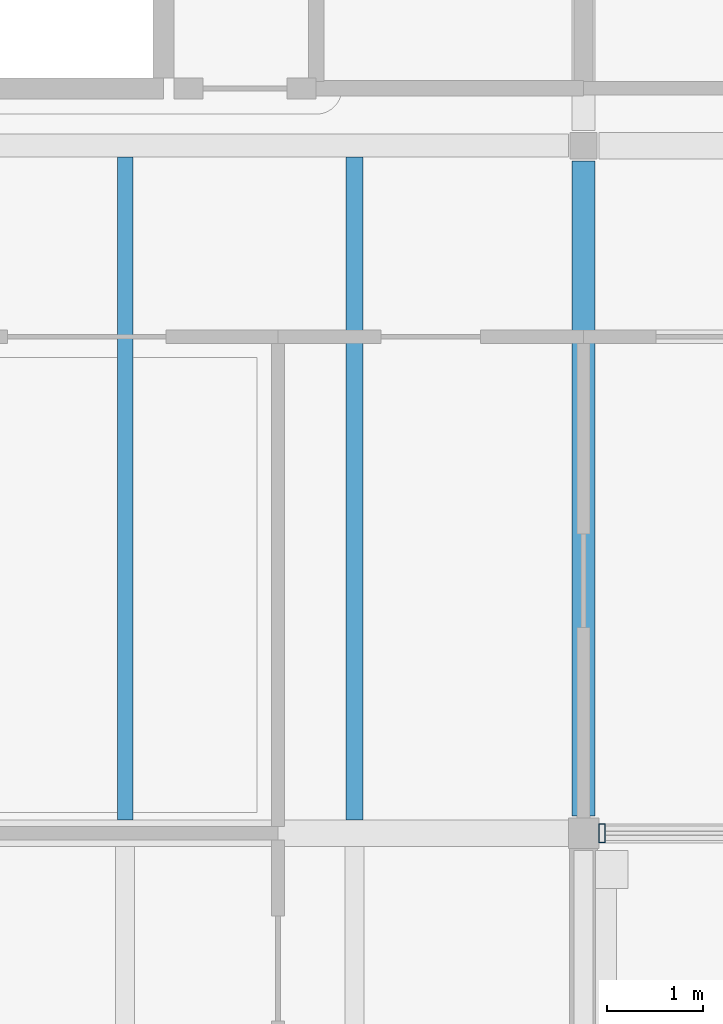
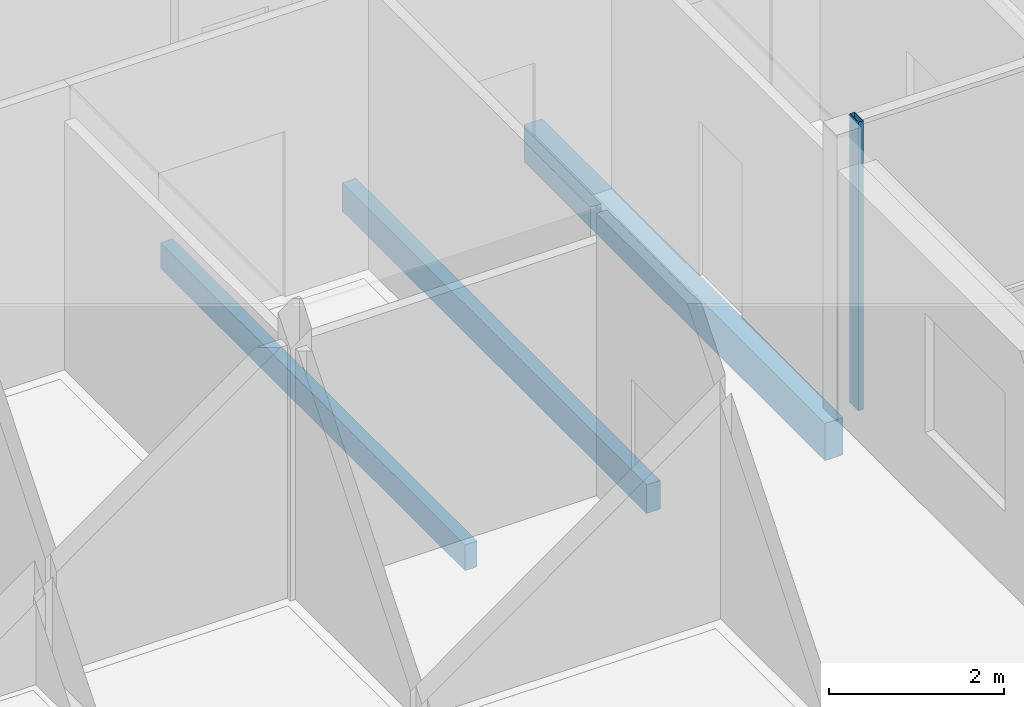
# One storey, part 12 of 57: 3 beams, 1 member, 1 element without a shape of its own.
"""IFC4 building model written with IfcOpenShell, lengths in metres."""

from ifc_helpers import new_model, si_unit, direction, frame, origin, origin_2d, place, context, subcontext, project, spatial, rectangle, hollow_rectangle, extrude, material, material_profile, profile_set, type_object, element, aggregate, save


model = new_model("IFC4")

# Units and contexts
model_context = context("Model", 3, precision=1e-05, world=origin(), true_north=direction((0.0, 1.0)))
body_context = subcontext(model_context, "Body", "Model", "MODEL_VIEW")
ifc_project = project(units=[si_unit("LENGTHUNIT", "METRE"), si_unit("AREAUNIT", "SQUARE_METRE"), si_unit("VOLUMEUNIT", "CUBIC_METRE"), si_unit("PLANEANGLEUNIT", "RADIAN"), si_unit("MASSUNIT", "GRAM", prefix="KILO")], contexts=[model_context])

# Site, building, storey
site_placement = place(None, origin())
site = spatial("IfcSite", under=ifc_project, at=site_placement, CompositionType="ELEMENT")
building_placement = place(site_placement, origin())
building = spatial("IfcBuilding", under=site, at=building_placement, Name="Hawrajan Terrace Health Centre", CompositionType="ELEMENT")
storey_placement = place(building_placement, frame((0.0, 0.0, 13.199951171875)))
storey = spatial("IfcBuildingStorey", under=building, at=storey_placement, Name="L03", CompositionType="ELEMENT", Elevation=13.199951171875)

# Curtain wall, member
ifc_material_1 = material(Name="Anodized bronze aluminium and low-E solar glazing", Category="aluminium")
curtain_wall_type = type_object("IfcCurtainWallType", Name="CW_Clerestory_SeriesG1", PredefinedType="USERDEFINED", material=ifc_material_1)
curtain_wall_placement = place(storey_placement, origin())
curtain_wall = element("IfcCurtainWall", 1, at=curtain_wall_placement, inside=storey, type_object=curtain_wall_type, Name="Curtain wall CW-L03-160", ObjectType="UNITISED CURTAIN WALL", PredefinedType="USERDEFINED")
ifc_material_2 = material(Name="Anodized bronze aluminium 6063-T6", Category="aluminium")
ifc_material_profile_1 = material_profile(ifc_material_2, hollow_rectangle(XDim=0.06494140625, YDim=0.199951171875, WallThickness=0.00439453125, at=origin_2d()), Name="CW MUL 65x200")
ifc_profile_set_1 = profile_set([ifc_material_profile_1], Name="Anodized bronze aluminium 6063-T6")
member_type = type_object("IfcMemberType", Name="CWMullion_65x200", PredefinedType="MULLION", material=ifc_profile_set_1)
member_placement = place(storey_placement, frame((19.1923828125, 45.39990234375, -0.0048828125), z_axis=(0.0, 0.0, 1.0), x_axis=(1.0, 0.0, 0.0)))
member = element("IfcMember", 2, at=member_placement, type_object=member_type, Name="Mullion CW-L03-160-M1", PredefinedType="MULLION", context=body_context, shape_type="SweptSolid", body=[
    extrude(hollow_rectangle(XDim=0.06494140625, YDim=0.199951171875, WallThickness=0.00439453125, at=origin_2d()), origin(), (0.0, 0.0, 1.0), 4.02001953125),
])
aggregate(curtain_wall, [member])

# Beams
ifc_material_3 = material(Name="Glulam GL32h", Category="wood")
ifc_material_profile_2 = material_profile(ifc_material_3, rectangle(XDim=0.239990234375, YDim=0.52001953125, at=origin_2d()), Name="GL BM 240x520")
ifc_profile_set_2 = profile_set([ifc_material_profile_2], Name="Glulam GL32h")
beam_type_1 = type_object("IfcBeamType", Name="GlulamGirder_240x520", PredefinedType="BEAM", material=ifc_profile_set_2)
beam_1_placement = place(storey_placement, frame((19.0, 45.580078125, -0.510009765625), z_axis=(0.0, 1.0, 0.0), x_axis=(-1.0, 0.0, 0.0)))
element("IfcBeam", 3, at=beam_1_placement, inside=storey, type_object=beam_type_1, Name="Beam BM-Y-L03-W-X03-6", PredefinedType="BEAM", context=body_context, shape_type="SweptSolid", body=[
    extrude(rectangle(XDim=0.239990234375, YDim=0.52001953125, at=origin_2d()), origin(), (0.0, 0.0, 1.0), 6.85986328125),
])
ifc_material_4 = material(Name="Glulam GL28h", Category="wood")
ifc_material_profile_3 = material_profile(ifc_material_4, rectangle(XDim=0.159912109375, YDim=0.360107421875, at=origin_2d()), Name="GL JST 160x360")
ifc_profile_set_3 = profile_set([ifc_material_profile_3], Name="Glulam GL28h")
beam_type_2 = type_object("IfcBeamType", Name="GlulamJoist_160x360", PredefinedType="JOIST", material=ifc_profile_set_3)
beam_2_placement = place(storey_placement, frame((14.199951171875, 45.5400390625, -0.429931640625), z_axis=(0.0, 1.0, 0.0), x_axis=(-1.0, 0.0, 0.0)))
element("IfcBeam", 4, at=beam_2_placement, inside=storey, type_object=beam_type_2, Name="Secondary joist JST-L03-W-02-6-1", PredefinedType="JOIST", context=body_context, shape_type="SweptSolid", body=[
    extrude(rectangle(XDim=0.159912109375, YDim=0.360107421875, at=origin_2d()), origin(), (0.0, 0.0, 1.0), 6.93994140625),
])
ifc_material_profile_4 = material_profile(ifc_material_4, rectangle(XDim=0.179931640625, YDim=0.39990234375, at=origin_2d()), Name="GL JST 180x400")
ifc_profile_set_4 = profile_set([ifc_material_profile_4], Name="Glulam GL28h")
beam_type_3 = type_object("IfcBeamType", Name="GlulamJoist_180x400", PredefinedType="JOIST", material=ifc_profile_set_4)
beam_3_placement = place(storey_placement, frame((16.60009765625, 45.5400390625, -0.449951171875), z_axis=(0.0, 1.0, 0.0), x_axis=(-1.0, 0.0, 0.0)))
element("IfcBeam", 5, at=beam_3_placement, inside=storey, type_object=beam_type_3, Name="Secondary joist JST-L03-W-02-6-2", PredefinedType="JOIST", context=body_context, shape_type="SweptSolid", body=[
    extrude(rectangle(XDim=0.179931640625, YDim=0.39990234375, at=origin_2d()), origin(), (0.0, 0.0, 1.0), 6.93994140625),
])

save(model, "model.ifc")
